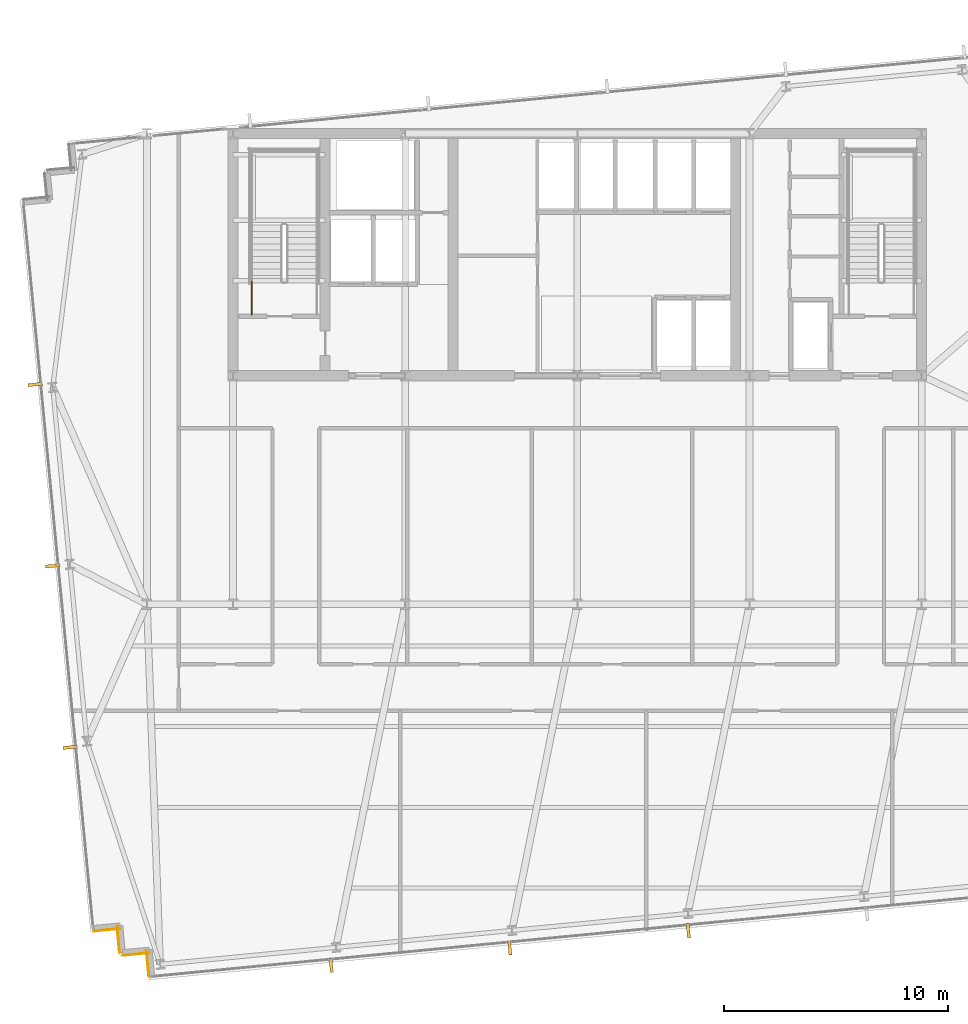
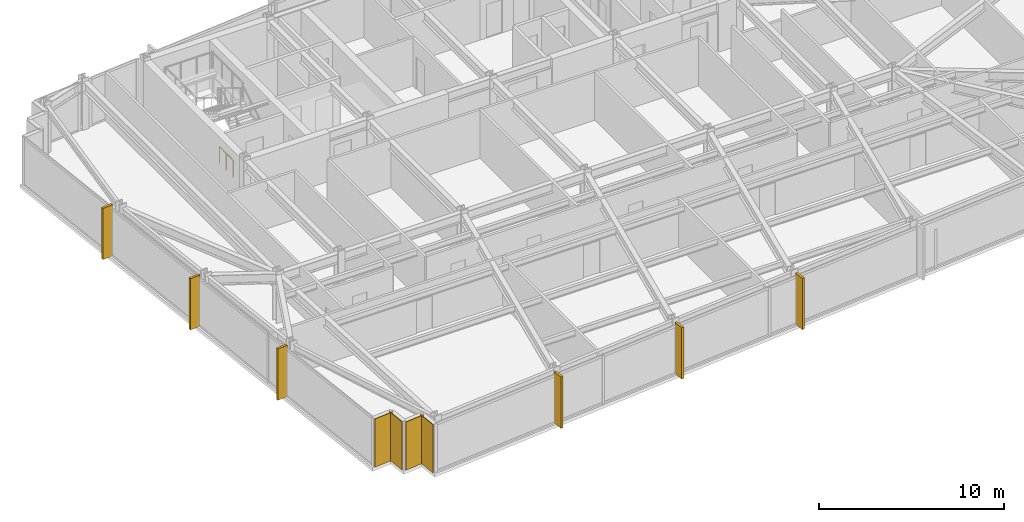
# One storey, part 28 of 33: 6 shading devices, 4 coverings, 1 railing.
"""IFC4 building model written with IfcOpenShell, lengths in metres."""

from ifc_helpers import new_model, si_unit, direction, frame, frame_2d, origin, origin_2d, place, context, subcontext, project, spatial, rectangle, circle, extrude, material, layer, layer_set, type_object, element, save


model = new_model("IFC4")

# Units and contexts
model_context = context("Model", 3, precision=1e-05, world=origin(), true_north=direction((0.0, 1.0)))
body_context = subcontext(model_context, "Body", "Model", "MODEL_VIEW")
ifc_project = project(units=[si_unit("LENGTHUNIT", "METRE"), si_unit("AREAUNIT", "SQUARE_METRE"), si_unit("VOLUMEUNIT", "CUBIC_METRE"), si_unit("PLANEANGLEUNIT", "RADIAN"), si_unit("MASSUNIT", "GRAM", prefix="KILO")], contexts=[model_context])

# Site, building, storey
site_placement = place(None, origin())
site = spatial("IfcSite", under=ifc_project, at=site_placement, CompositionType="ELEMENT")
building_placement = place(site_placement, origin())
building = spatial("IfcBuilding", under=site, at=building_placement, Name="Yelkora Congress Tower", CompositionType="ELEMENT")
storey_placement = place(building_placement, frame((0.0, 0.0, 123.699951171875)))
storey = spatial("IfcBuildingStorey", under=building, at=storey_placement, Name="L33", CompositionType="ELEMENT", Elevation=123.699951171875)

# Coverings
ifc_material_1 = material(Name="Anatolian bush-hammered limestone", Category="masonry")
ifc_layer_1 = layer(ifc_material_1, 0.0400390625)
ifc_layer_set_1 = layer_set([ifc_layer_1], Name="Anatolian bush-hammered limestone")
covering_type = type_object("IfcCoveringType", Name="COV-CLAD-SPANDREL-40", PredefinedType="CLADDING", material=ifc_layer_set_1)
covering_1_placement = place(storey_placement, frame((19.29248046875, 8.58447265625, 0.0), z_axis=(0.0, 0.0, 1.0), x_axis=(-0.095836473879, 0.995397091755, 0.0)))
element("IfcCovering", 1, at=covering_1_placement, inside=storey, type_object=covering_type, Name="L33 Anatolian Limestone Cladding EW-L33-SR01", PredefinedType="CLADDING", context=body_context, shape_type="SweptSolid", body=[
    extrude(rectangle(XDim=1.199951171875, YDim=0.0400390625, at=frame_2d((0.60009765625, 0.0))), origin(), (0.0, 0.0, 1.0), 3.179931640625),
])
for number, where, z_axis, x_axis, name in (
    (2, (19.32470703125, 9.657470703125, 0.0), (0.0, 0.0, 1.0), (-0.995398960025, -0.095817067274, 0.0), "L33 Anatolian Limestone Cladding EW-L33-SR02"),
    (3, (17.98291015625, 9.663818359375, 0.0), (0.0, 0.0, 1.0), (-0.095817067274, 0.995398960025, 0.0), "L33 Anatolian Limestone Cladding EW-L33-SR03"),
):
    element("IfcCovering", number, at=place(storey_placement, frame(where, z_axis=z_axis, x_axis=x_axis)), inside=storey, type_object=covering_type, Name=name, PredefinedType="CLADDING", context=body_context, shape_type="SweptSolid", body=[
        extrude(rectangle(XDim=1.2001953125, YDim=0.0400390625, at=frame_2d((0.60009765625, 0.0))), origin(), (0.0, 0.0, 1.0), 3.179931640625),
    ])
covering_2_placement = place(storey_placement, frame((18.01513671875, 10.737060546875, 0.0), z_axis=(0.0, 0.0, 1.0), x_axis=(-0.995397091755, -0.095836473879, 0.0)))
element("IfcCovering", 4, at=covering_2_placement, inside=storey, type_object=covering_type, Name="L33 Anatolian Limestone Cladding EW-L33-SR04", PredefinedType="CLADDING", context=body_context, shape_type="SweptSolid", body=[
    extrude(rectangle(XDim=1.199951171875, YDim=0.0400390625, at=frame_2d((0.60009765625, 0.0))), origin(), (0.0, 0.0, 1.0), 3.179931640625),
])

# Railing
ifc_material_2 = material(Name="Painted galvanised steel stair well guard with vertical infill", Category="steel")
ifc_layer_2 = layer(ifc_material_2, 0.06005859375)
ifc_layer_set_2 = layer_set([ifc_layer_2], Name="Painted galvanised steel stair well guard with vertical infill")
railing_type = type_object("IfcRailingType", Name="RAIL-STAIR-GUARD-1120", PredefinedType="GUARDRAIL", material=ifc_layer_set_2)
railing_placement = place(storey_placement, frame((23.8701171875, 38.1201171875, 0.0)))
element("IfcRailing", 5, at=railing_placement, inside=storey, type_object=railing_type, Name="ST-01 L33 Stair Well Guardrail 9", PredefinedType="GUARDRAIL", context=body_context, shape_type="SweptSolid", body=[
    extrude(circle(Radius=0.02392578125, at=origin_2d()), frame((0.0, 0.0, 1.09619140625), z_axis=(0.0, 1.0, 0.0), x_axis=(-1.0, 0.0, 0.0)), (0.0, 0.0, 1.0), 1.47998046875),
    extrude(circle(Radius=0.02099609375, at=origin_2d()), origin(), (0.0, 0.0, 1.0), 1.072021484375),
    extrude(circle(Radius=0.02099609375, at=origin_2d()), frame((0.0, 0.739990234375, 0.0)), (0.0, 0.0, 1.0), 1.072021484375),
    extrude(circle(Radius=0.02099609375, at=origin_2d()), frame((0.0, 1.47998046875, 0.0)), (0.0, 0.0, 1.0), 1.072021484375),
])

# Shading devices
ifc_material_3 = material(Name="Champagne anodised aluminium", Category="aluminium")
ifc_layer_3 = layer(ifc_material_3, 3.39990234375)
ifc_layer_set_3 = layer_set([ifc_layer_3], Name="Champagne anodised aluminium")
shading_device_type = type_object("IfcShadingDeviceType", Name="SHD-FIN-ALU-640", PredefinedType="USERDEFINED", material=ifc_layer_set_3)
for number, where, z_axis, x_axis, name in (
    (6, (15.769775390625, 18.823974609375, -0.02978515625), (0.0, 0.0, 1.0), (-0.09584575252, 0.995396198367, 0.0), "L33 Vertical Anodised Solar Fin 5-1"),
    (7, (14.990478515625, 26.91650390625, -0.02978515625), (0.0, 0.0, 1.0), (-0.09584575252, 0.995396198367, 0.0), "L33 Vertical Anodised Solar Fin 5-2"),
    (8, (14.211181640625, 35.00927734375, -0.02978515625), (0.0, 0.0, 1.0), (-0.09584575252, 0.995396198367, 0.0), "L33 Vertical Anodised Solar Fin 5-3"),
    (9, (43.349609375, 10.639892578125, -0.02978515625), (0.0, 0.0, 1.0), (-0.995396198367, -0.09584575252, 0.0), "L33 Vertical Anodised Solar Fin 20-4"),
    (10, (35.3837890625, 9.872802734375, -0.02978515625), (0.0, 0.0, 1.0), (-0.995396198367, -0.09584575252, 0.0), "L33 Vertical Anodised Solar Fin 20-5"),
    (11, (27.417724609375, 9.105712890625, -0.02978515625), (0.0, 0.0, 1.0), (-0.995396198367, -0.09584575252, 0.0), "L33 Vertical Anodised Solar Fin 20-6"),
):
    element("IfcShadingDevice", number, at=place(storey_placement, frame(where, z_axis=z_axis, x_axis=x_axis)), inside=storey, type_object=shading_device_type, Name=name, ObjectType="FIN", PredefinedType="USERDEFINED", context=body_context, shape_type="SweptSolid", body=[
        extrude(rectangle(XDim=0.139892578125, YDim=0.639892578125, at=origin_2d()), origin(), (0.0, 0.0, 1.0), 3.3798828125),
    ])

save(model, "model.ifc")
